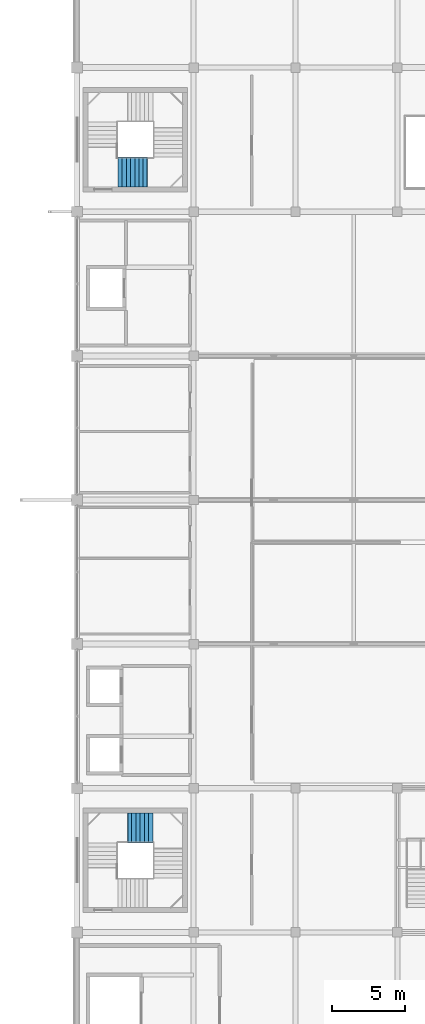
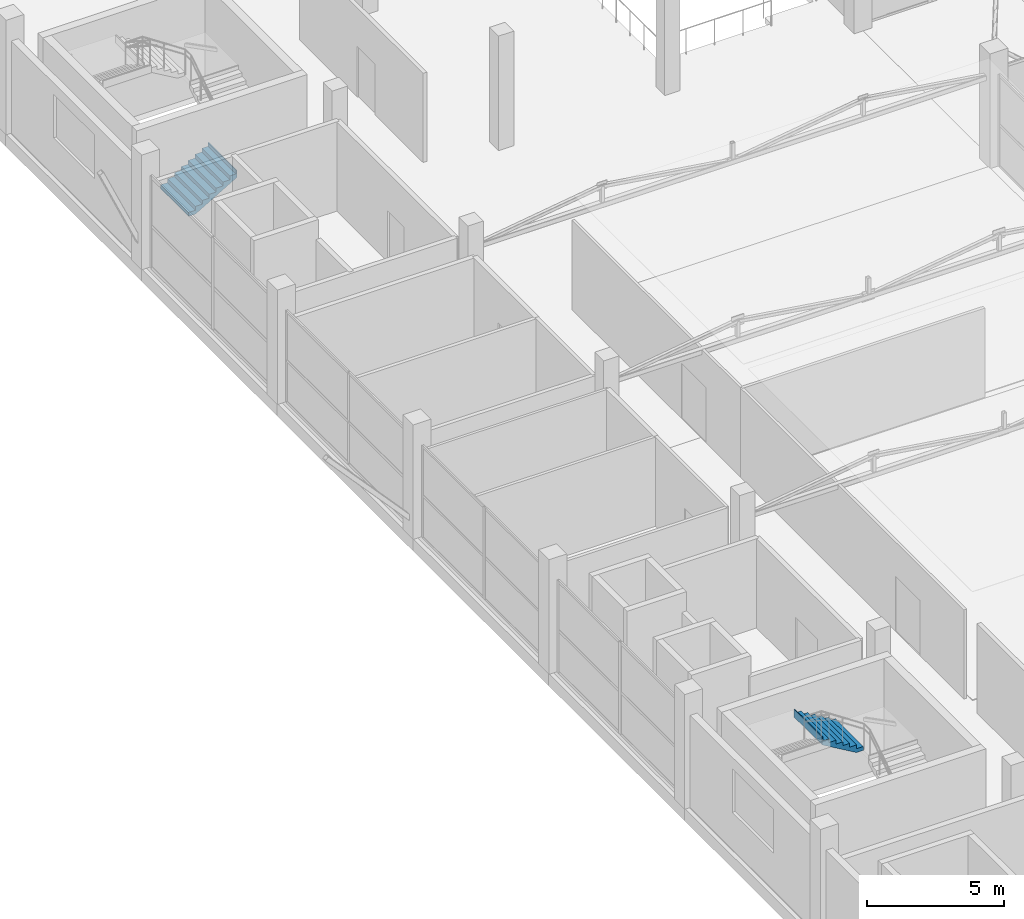
# One storey, part 61 of 67: 2 stair flights, 2 elements without a shape of their own.
"""IFC4 building model written with IfcOpenShell, lengths in metres."""

from ifc_helpers import new_model, si_unit, direction, frame, origin, place, context, subcontext, project, spatial, triangles, material, type_object, element, aggregate, save


model = new_model("IFC4")

# Units and contexts
model_context = context("Model", 3, precision=1e-05, world=origin(), true_north=direction((0.0, 1.0)))
body_context = subcontext(model_context, "Body", "Model", "MODEL_VIEW")
ifc_project = project(units=[si_unit("LENGTHUNIT", "METRE"), si_unit("AREAUNIT", "SQUARE_METRE"), si_unit("VOLUMEUNIT", "CUBIC_METRE"), si_unit("PLANEANGLEUNIT", "RADIAN"), si_unit("MASSUNIT", "GRAM", prefix="KILO")], contexts=[model_context])

# Site, building, storey
site_placement = place(None, origin())
site = spatial("IfcSite", under=ifc_project, at=site_placement, CompositionType="ELEMENT")
building_placement = place(site_placement, origin())
building = spatial("IfcBuilding", under=site, at=building_placement, Name="Sillaruma Civic Art Gallery", CompositionType="ELEMENT")
storey_placement = place(building_placement, frame((0.0, 0.0, 46.919921875)))
storey = spatial("IfcBuildingStorey", under=building, at=storey_placement, Name="L09", CompositionType="ELEMENT", Elevation=46.919921875)

# Stair, stair flight
ifc_material = material(Name="Concrete H35 (35 MPa)", Category="concrete")
stair_type = type_object("IfcStairType", Name="STR-4F-30", PredefinedType="USERDEFINED", material=ifc_material)
stair_1_placement = place(storey_placement, origin())
stair_1 = element("IfcStair", 1, at=stair_1_placement, inside=storey, type_object=stair_type, Name="Protected Exit Stair ST-03 (West Bar South) (L09)", ObjectType="THREE_RETURN_STAIR", PredefinedType="USERDEFINED")
stair_flight_type_1 = type_object("IfcStairFlightType", Name="SFL-STR-7", PredefinedType="STRAIGHT", material=ifc_material)
stair_flight_1_placement = place(storey_placement, frame((67.199951171875, 36.8701171875, 2.719970703125), z_axis=(0.0, 0.0, 1.0), x_axis=(-1.0, 0.0, 0.0)))
stair_flight_1 = element("IfcStairFlight", 2, at=stair_flight_1_placement, type_object=stair_flight_type_1, Name="ST-03 flight 3", NumberOfRisers=7, NumberOfTreads=6, PredefinedType="STRAIGHT", RiserHeight=0.17, TreadLength=0.29, context=body_context, shape_type="Tessellation", body=[
    triangles([(0.0, -1.02001953125, 0.0), (0.29, -1.02001953125, 0.0), (0.296404, -1.02001953125, 0.0), (0.58, -1.02001953125, 0.166246), (0.87, -1.02001953125, 0.336246), (1.16, -1.02001953125, 0.506246), (1.45, -1.02001953125, 0.676246), (1.69999, -1.02001953125, 0.822792), (1.73999, -1.02001953125, 0.84624), (1.73999, -1.02001953125, 1.19), (1.69999, -1.02001953125, 1.19), (1.69999, -1.02001953125, 1.02), (1.45, -1.02001953125, 1.02), (1.45, -1.02001953125, 0.85), (1.16, -1.02001953125, 0.85), (1.16, -1.02001953125, 0.68), (0.87, -1.02001953125, 0.68), (0.87, -1.02001953125, 0.51), (0.58, -1.02001953125, 0.51), (0.58, -1.02001953125, 0.34), (0.296404, -1.02001953125, 0.34), (0.29, -1.02001953125, 0.34), (0.29, -1.02001953125, 0.17), (0.0, -1.02001953125, 0.17), (0.0, -0.05, 0.0), (0.29, -0.05, 0.0), (0.296404, -0.05, 0.0), (0.58, -0.05, 0.166246), (0.87, -0.05, 0.336246), (1.16, -0.05, 0.506246), (1.45, -0.05, 0.676246), (1.69999, -0.05, 0.822792), (1.73999, -0.05, 0.84624), (1.73999, -0.05, 1.19), (1.69999, -0.05, 1.19), (1.69999, -0.05, 1.02), (1.45, -0.05, 1.02), (1.45, -0.05, 0.85), (1.16, -0.05, 0.85), (1.16, -0.05, 0.68), (0.87, -0.05, 0.68), (0.87, -0.05, 0.51), (0.58, -0.05, 0.51), (0.58, -0.05, 0.34), (0.296404, -0.05, 0.34), (0.29, -0.05, 0.34), (0.29, -0.05, 0.17), (0.0, -0.05, 0.17), (0.0, -0.0375, 0.0), (0.29, -0.0375, 0.0), (0.296404, -0.0375, 0.0), (0.58, -0.0375, 0.166246), (0.87, -0.0375, 0.336246), (1.16, -0.0375, 0.506246), (1.45, -0.0375, 0.676246), (1.69999, -0.0375, 0.822792), (1.73999, -0.0375, 0.84624), (1.73999, -0.0375, 1.19), (1.69999, -0.0375, 1.19), (1.69999, -0.0375, 1.02), (1.45, -0.0375, 1.02), (1.45, -0.0375, 0.85), (1.16, -0.0375, 0.85), (1.16, -0.0375, 0.68), (0.87, -0.0375, 0.68), (0.87, -0.0375, 0.51), (0.58, -0.0375, 0.51), (0.58, -0.0375, 0.34), (0.296404, -0.0375, 0.34), (0.29, -0.0375, 0.34), (0.29, -0.0375, 0.17), (0.0, -0.0375, 0.17), (0.0, -0.025, 0.0), (0.29, -0.025, 0.0), (0.296404, -0.025, 0.0), (0.58, -0.025, 0.166246), (0.87, -0.025, 0.336246), (1.16, -0.025, 0.506246), (1.45, -0.025, 0.676246), (1.69999, -0.025, 0.822792), (1.73999, -0.025, 0.84624), (1.73999, -0.025, 1.19), (1.69999, -0.025, 1.19), (1.69999, -0.025, 1.02), (1.45, -0.025, 1.02), (1.45, -0.025, 0.85), (1.16, -0.025, 0.85), (1.16, -0.025, 0.68), (0.87, -0.025, 0.68), (0.87, -0.025, 0.51), (0.58, -0.025, 0.51), (0.58, -0.025, 0.34), (0.296404, -0.025, 0.34), (0.29, -0.025, 0.34), (0.29, -0.025, 0.17), (0.0, -0.025, 0.17), (0.0, -0.0125, 0.0), (0.29, -0.0125, 0.0), (0.296404, -0.0125, 0.0), (0.58, -0.0125, 0.166246), (0.87, -0.0125, 0.336246), (1.16, -0.0125, 0.506246), (1.45, -0.0125, 0.676246), (1.69999, -0.0125, 0.822792), (1.73999, -0.0125, 0.84624), (1.73999, -0.0125, 1.19), (1.69999, -0.0125, 1.19), (1.69999, -0.0125, 1.02), (1.45, -0.0125, 1.02), (1.45, -0.0125, 0.85), (1.16, -0.0125, 0.85), (1.16, -0.0125, 0.68), (0.87, -0.0125, 0.68), (0.87, -0.0125, 0.51), (0.58, -0.0125, 0.51), (0.58, -0.0125, 0.34), (0.296404, -0.0125, 0.34), (0.29, -0.0125, 0.34), (0.29, -0.0125, 0.17), (0.0, -0.0125, 0.17), (0.0, 0.0, 0.0), (0.29, 0.0, 0.0), (0.296404, 0.0, 0.0), (0.58, 0.0, 0.166246), (0.87, 0.0, 0.336246), (1.16, 0.0, 0.506246), (1.45, 0.0, 0.676246), (1.69999, 0.0, 0.822792), (1.73999, 0.0, 0.84624), (1.73999, 0.0, 1.19), (1.69999, 0.0, 1.19), (1.69999, 0.0, 1.02), (1.45, 0.0, 1.02), (1.45, 0.0, 0.85), (1.16, 0.0, 0.85), (1.16, 0.0, 0.68), (0.87, 0.0, 0.68), (0.87, 0.0, 0.51), (0.58, 0.0, 0.51), (0.58, 0.0, 0.34), (0.296404, 0.0, 0.34), (0.29, 0.0, 0.34), (0.29, 0.0, 0.17), (0.0, 0.0, 0.17), (0.0, 0.0125, 0.0), (0.29, 0.0125, 0.0), (0.296404, 0.0125, 0.0), (0.58, 0.0125, 0.166246), (0.87, 0.0125, 0.336246), (1.16, 0.0125, 0.506246), (1.45, 0.0125, 0.676246), (1.69999, 0.0125, 0.822792), (1.73999, 0.0125, 0.84624), (1.73999, 0.0125, 1.19), (1.69999, 0.0125, 1.19), (1.69999, 0.0125, 1.02), (1.45, 0.0125, 1.02), (1.45, 0.0125, 0.85), (1.16, 0.0125, 0.85), (1.16, 0.0125, 0.68), (0.87, 0.0125, 0.68), (0.87, 0.0125, 0.51), (0.58, 0.0125, 0.51), (0.58, 0.0125, 0.34), (0.296404, 0.0125, 0.34), (0.29, 0.0125, 0.34), (0.29, 0.0125, 0.17), (0.0, 0.0125, 0.17), (0.0, 0.025, 0.0), (0.29, 0.025, 0.0), (0.296404, 0.025, 0.0), (0.58, 0.025, 0.166246), (0.87, 0.025, 0.336246), (1.16, 0.025, 0.506246), (1.45, 0.025, 0.676246), (1.69999, 0.025, 0.822792), (1.73999, 0.025, 0.84624), (1.73999, 0.025, 1.19), (1.69999, 0.025, 1.19), (1.69999, 0.025, 1.02), (1.45, 0.025, 1.02), (1.45, 0.025, 0.85), (1.16, 0.025, 0.85), (1.16, 0.025, 0.68), (0.87, 0.025, 0.68), (0.87, 0.025, 0.51), (0.58, 0.025, 0.51), (0.58, 0.025, 0.34), (0.296404, 0.025, 0.34), (0.29, 0.025, 0.34), (0.29, 0.025, 0.17), (0.0, 0.025, 0.17), (0.0, 0.0375, 0.0), (0.29, 0.0375, 0.0), (0.296404, 0.0375, 0.0), (0.58, 0.0375, 0.166246), (0.87, 0.0375, 0.336246), (1.16, 0.0375, 0.506246), (1.45, 0.0375, 0.676246), (1.69999, 0.0375, 0.822792), (1.73999, 0.0375, 0.84624), (1.73999, 0.0375, 1.19), (1.69999, 0.0375, 1.19), (1.69999, 0.0375, 1.02), (1.45, 0.0375, 1.02), (1.45, 0.0375, 0.85), (1.16, 0.0375, 0.85), (1.16, 0.0375, 0.68), (0.87, 0.0375, 0.68), (0.87, 0.0375, 0.51), (0.58, 0.0375, 0.51), (0.58, 0.0375, 0.34), (0.296404, 0.0375, 0.34), (0.29, 0.0375, 0.34), (0.29, 0.0375, 0.17), (0.0, 0.0375, 0.17), (0.0, 0.05, 0.0), (0.29, 0.05, 0.0), (0.296404, 0.05, 0.0), (0.58, 0.05, 0.166246), (0.87, 0.05, 0.336246), (1.16, 0.05, 0.506246), (1.45, 0.05, 0.676246), (1.69999, 0.05, 0.822792), (1.73999, 0.05, 0.84624), (1.73999, 0.05, 1.19), (1.69999, 0.05, 1.19), (1.69999, 0.05, 1.02), (1.45, 0.05, 1.02), (1.45, 0.05, 0.85), (1.16, 0.05, 0.85), (1.16, 0.05, 0.68), (0.87, 0.05, 0.68), (0.87, 0.05, 0.51), (0.58, 0.05, 0.51), (0.58, 0.05, 0.34), (0.296404, 0.05, 0.34), (0.29, 0.05, 0.34), (0.29, 0.05, 0.17), (0.0, 0.05, 0.17), (0.0, 1.02001953125, 0.0), (0.29, 1.02001953125, 0.0), (0.296404, 1.02001953125, 0.0), (0.58, 1.02001953125, 0.166246), (0.87, 1.02001953125, 0.336246), (1.16, 1.02001953125, 0.506246), (1.45, 1.02001953125, 0.676246), (1.69999, 1.02001953125, 0.822792), (1.73999, 1.02001953125, 0.84624), (1.73999, 1.02001953125, 1.19), (1.69999, 1.02001953125, 1.19), (1.69999, 1.02001953125, 1.02), (1.45, 1.02001953125, 1.02), (1.45, 1.02001953125, 0.85), (1.16, 1.02001953125, 0.85), (1.16, 1.02001953125, 0.68), (0.87, 1.02001953125, 0.68), (0.87, 1.02001953125, 0.51), (0.58, 1.02001953125, 0.51), (0.58, 1.02001953125, 0.34), (0.296404, 1.02001953125, 0.34), (0.29, 1.02001953125, 0.34), (0.29, 1.02001953125, 0.17), (0.0, 1.02001953125, 0.17)], [[1, 2, 23], [1, 23, 24], [2, 3, 21], [2, 21, 23], [23, 21, 22], [3, 4, 20], [3, 20, 21], [4, 5, 18], [4, 18, 20], [20, 18, 19], [5, 6, 16], [5, 16, 18], [18, 16, 17], [6, 7, 14], [6, 14, 16], [16, 14, 15], [7, 8, 12], [7, 12, 14], [14, 12, 13], [8, 9, 10], [8, 10, 12], [12, 10, 11], [263, 242, 241], [264, 263, 241], [261, 243, 242], [263, 261, 242], [262, 261, 263], [260, 244, 243], [261, 260, 243], [258, 245, 244], [260, 258, 244], [259, 258, 260], [256, 246, 245], [258, 256, 245], [257, 256, 258], [254, 247, 246], [256, 254, 246], [255, 254, 256], [252, 248, 247], [254, 252, 247], [253, 252, 254], [250, 249, 248], [252, 250, 248], [251, 250, 252], [2, 1, 25], [2, 25, 26], [3, 2, 26], [3, 26, 27], [4, 3, 27], [4, 27, 28], [5, 4, 28], [5, 28, 29], [6, 5, 29], [6, 29, 30], [7, 6, 30], [7, 30, 31], [8, 7, 31], [8, 31, 32], [9, 8, 32], [9, 32, 33], [10, 9, 33], [10, 33, 34], [11, 10, 34], [11, 34, 35], [12, 11, 35], [12, 35, 36], [13, 12, 36], [13, 36, 37], [14, 13, 37], [14, 37, 38], [15, 14, 38], [15, 38, 39], [16, 15, 39], [16, 39, 40], [17, 16, 40], [17, 40, 41], [18, 17, 41], [18, 41, 42], [19, 18, 42], [19, 42, 43], [20, 19, 43], [20, 43, 44], [21, 20, 44], [21, 44, 45], [22, 21, 45], [22, 45, 46], [23, 22, 46], [23, 46, 47], [24, 23, 47], [24, 47, 48], [1, 24, 48], [1, 48, 25], [26, 25, 49], [26, 49, 50], [27, 26, 50], [27, 50, 51], [28, 27, 51], [28, 51, 52], [29, 28, 52], [29, 52, 53], [30, 29, 53], [30, 53, 54], [31, 30, 54], [31, 54, 55], [32, 31, 55], [32, 55, 56], [33, 32, 56], [33, 56, 57], [34, 33, 57], [34, 57, 58], [35, 34, 58], [35, 58, 59], [36, 35, 59], [36, 59, 60], [37, 36, 60], [37, 60, 61], [38, 37, 61], [38, 61, 62], [39, 38, 62], [39, 62, 63], [40, 39, 63], [40, 63, 64], [41, 40, 64], [41, 64, 65], [42, 41, 65], [42, 65, 66], [43, 42, 66], [43, 66, 67], [44, 43, 67], [44, 67, 68], [45, 44, 68], [45, 68, 69], [46, 45, 69], [46, 69, 70], [47, 46, 70], [47, 70, 71], [48, 47, 71], [48, 71, 72], [25, 48, 72], [25, 72, 49], [50, 49, 73], [50, 73, 74], [51, 50, 74], [51, 74, 75], [52, 51, 75], [52, 75, 76], [53, 52, 76], [53, 76, 77], [54, 53, 77], [54, 77, 78], [55, 54, 78], [55, 78, 79], [56, 55, 79], [56, 79, 80], [57, 56, 80], [57, 80, 81], [58, 57, 81], [58, 81, 82], [59, 58, 82], [59, 82, 83], [60, 59, 83], [60, 83, 84], [61, 60, 84], [61, 84, 85], [62, 61, 85], [62, 85, 86], [63, 62, 86], [63, 86, 87], [64, 63, 87], [64, 87, 88], [65, 64, 88], [65, 88, 89], [66, 65, 89], [66, 89, 90], [67, 66, 90], [67, 90, 91], [68, 67, 91], [68, 91, 92], [69, 68, 92], [69, 92, 93], [70, 69, 93], [70, 93, 94], [71, 70, 94], [71, 94, 95], [72, 71, 95], [72, 95, 96], [49, 72, 96], [49, 96, 73], [74, 73, 97], [74, 97, 98], [75, 74, 98], [75, 98, 99], [76, 75, 99], [76, 99, 100], [77, 76, 100], [77, 100, 101], [78, 77, 101], [78, 101, 102], [79, 78, 102], [79, 102, 103], [80, 79, 103], [80, 103, 104], [81, 80, 104], [81, 104, 105], [82, 81, 105], [82, 105, 106], [83, 82, 106], [83, 106, 107], [84, 83, 107], [84, 107, 108], [85, 84, 108], [85, 108, 109], [86, 85, 109], [86, 109, 110], [87, 86, 110], [87, 110, 111], [88, 87, 111], [88, 111, 112], [89, 88, 112], [89, 112, 113], [90, 89, 113], [90, 113, 114], [91, 90, 114], [91, 114, 115], [92, 91, 115], [92, 115, 116], [93, 92, 116], [93, 116, 117], [94, 93, 117], [94, 117, 118], [95, 94, 118], [95, 118, 119], [96, 95, 119], [96, 119, 120], [73, 96, 120], [73, 120, 97], [98, 97, 121], [98, 121, 122], [99, 98, 122], [99, 122, 123], [100, 99, 123], [100, 123, 124], [101, 100, 124], [101, 124, 125], [102, 101, 125], [102, 125, 126], [103, 102, 126], [103, 126, 127], [104, 103, 127], [104, 127, 128], [105, 104, 128], [105, 128, 129], [106, 105, 129], [106, 129, 130], [107, 106, 130], [107, 130, 131], [108, 107, 131], [108, 131, 132], [109, 108, 132], [109, 132, 133], [110, 109, 133], [110, 133, 134], [111, 110, 134], [111, 134, 135], [112, 111, 135], [112, 135, 136], [113, 112, 136], [113, 136, 137], [114, 113, 137], [114, 137, 138], [115, 114, 138], [115, 138, 139], [116, 115, 139], [116, 139, 140], [117, 116, 140], [117, 140, 141], [118, 117, 141], [118, 141, 142], [119, 118, 142], [119, 142, 143], [120, 119, 143], [120, 143, 144], [97, 120, 144], [97, 144, 121], [122, 121, 145], [122, 145, 146], [123, 122, 146], [123, 146, 147], [124, 123, 147], [124, 147, 148], [125, 124, 148], [125, 148, 149], [126, 125, 149], [126, 149, 150], [127, 126, 150], [127, 150, 151], [128, 127, 151], [128, 151, 152], [129, 128, 152], [129, 152, 153], [130, 129, 153], [130, 153, 154], [131, 130, 154], [131, 154, 155], [132, 131, 155], [132, 155, 156], [133, 132, 156], [133, 156, 157], [134, 133, 157], [134, 157, 158], [135, 134, 158], [135, 158, 159], [136, 135, 159], [136, 159, 160], [137, 136, 160], [137, 160, 161], [138, 137, 161], [138, 161, 162], [139, 138, 162], [139, 162, 163], [140, 139, 163], [140, 163, 164], [141, 140, 164], [141, 164, 165], [142, 141, 165], [142, 165, 166], [143, 142, 166], [143, 166, 167], [144, 143, 167], [144, 167, 168], [121, 144, 168], [121, 168, 145], [146, 145, 169], [146, 169, 170], [147, 146, 170], [147, 170, 171], [148, 147, 171], [148, 171, 172], [149, 148, 172], [149, 172, 173], [150, 149, 173], [150, 173, 174], [151, 150, 174], [151, 174, 175], [152, 151, 175], [152, 175, 176], [153, 152, 176], [153, 176, 177], [154, 153, 177], [154, 177, 178], [155, 154, 178], [155, 178, 179], [156, 155, 179], [156, 179, 180], [157, 156, 180], [157, 180, 181], [158, 157, 181], [158, 181, 182], [159, 158, 182], [159, 182, 183], [160, 159, 183], [160, 183, 184], [161, 160, 184], [161, 184, 185], [162, 161, 185], [162, 185, 186], [163, 162, 186], [163, 186, 187], [164, 163, 187], [164, 187, 188], [165, 164, 188], [165, 188, 189], [166, 165, 189], [166, 189, 190], [167, 166, 190], [167, 190, 191], [168, 167, 191], [168, 191, 192], [145, 168, 192], [145, 192, 169], [170, 169, 193], [170, 193, 194], [171, 170, 194], [171, 194, 195], [172, 171, 195], [172, 195, 196], [173, 172, 196], [173, 196, 197], [174, 173, 197], [174, 197, 198], [175, 174, 198], [175, 198, 199], [176, 175, 199], [176, 199, 200], [177, 176, 200], [177, 200, 201], [178, 177, 201], [178, 201, 202], [179, 178, 202], [179, 202, 203], [180, 179, 203], [180, 203, 204], [181, 180, 204], [181, 204, 205], [182, 181, 205], [182, 205, 206], [183, 182, 206], [183, 206, 207], [184, 183, 207], [184, 207, 208], [185, 184, 208], [185, 208, 209], [186, 185, 209], [186, 209, 210], [187, 186, 210], [187, 210, 211], [188, 187, 211], [188, 211, 212], [189, 188, 212], [189, 212, 213], [190, 189, 213], [190, 213, 214], [191, 190, 214], [191, 214, 215], [192, 191, 215], [192, 215, 216], [169, 192, 216], [169, 216, 193], [194, 193, 217], [194, 217, 218], [195, 194, 218], [195, 218, 219], [196, 195, 219], [196, 219, 220], [197, 196, 220], [197, 220, 221], [198, 197, 221], [198, 221, 222], [199, 198, 222], [199, 222, 223], [200, 199, 223], [200, 223, 224], [201, 200, 224], [201, 224, 225], [202, 201, 225], [202, 225, 226], [203, 202, 226], [203, 226, 227], [204, 203, 227], [204, 227, 228], [205, 204, 228], [205, 228, 229], [206, 205, 229], [206, 229, 230], [207, 206, 230], [207, 230, 231], [208, 207, 231], [208, 231, 232], [209, 208, 232], [209, 232, 233], [210, 209, 233], [210, 233, 234], [211, 210, 234], [211, 234, 235], [212, 211, 235], [212, 235, 236], [213, 212, 236], [213, 236, 237], [214, 213, 237], [214, 237, 238], [215, 214, 238], [215, 238, 239], [216, 215, 239], [216, 239, 240], [193, 216, 240], [193, 240, 217], [218, 217, 241], [218, 241, 242], [219, 218, 242], [219, 242, 243], [220, 219, 243], [220, 243, 244], [221, 220, 244], [221, 244, 245], [222, 221, 245], [222, 245, 246], [223, 222, 246], [223, 246, 247], [224, 223, 247], [224, 247, 248], [225, 224, 248], [225, 248, 249], [226, 225, 249], [226, 249, 250], [227, 226, 250], [227, 250, 251], [228, 227, 251], [228, 251, 252], [229, 228, 252], [229, 252, 253], [230, 229, 253], [230, 253, 254], [231, 230, 254], [231, 254, 255], [232, 231, 255], [232, 255, 256], [233, 232, 256], [233, 256, 257], [234, 233, 257], [234, 257, 258], [235, 234, 258], [235, 258, 259], [236, 235, 259], [236, 259, 260], [237, 236, 260], [237, 260, 261], [238, 237, 261], [238, 261, 262], [239, 238, 262], [239, 262, 263], [240, 239, 263], [240, 263, 264], [217, 240, 264], [217, 264, 241]], closed=True),
])
aggregate(stair_1, [stair_flight_1])

stair_2_placement = place(storey_placement, origin())
stair_2 = element("IfcStair", 3, at=stair_2_placement, inside=storey, type_object=stair_type, Name="Protected Exit Stair ST-02 (West Bar North) (L09)", ObjectType="THREE_RETURN_STAIR", PredefinedType="USERDEFINED")
stair_flight_type_2 = type_object("IfcStairFlightType", Name="SFL-STR-8", PredefinedType="STRAIGHT", material=ifc_material)
stair_flight_2_placement = place(storey_placement, frame((64.800048828125, 81.929931640625, 0.0), z_axis=(0.0, 0.0, 1.0), x_axis=(1.0, 0.0, 0.0)))
stair_flight_2 = element("IfcStairFlight", 4, at=stair_flight_2_placement, type_object=stair_flight_type_2, Name="ST-02 flight 1", NumberOfRisers=8, NumberOfTreads=7, PredefinedType="STRAIGHT", RiserHeight=0.17, TreadLength=0.29, context=body_context, shape_type="Tessellation", body=[
    triangles([(0.0, -1.02001953125, 0.0), (0.29, -1.02001953125, 0.0), (0.296443, -1.02001953125, 0.0), (0.58, -1.02001953125, 0.166223), (0.87, -1.02001953125, 0.336223), (1.16, -1.02001953125, 0.506223), (1.45, -1.02001953125, 0.676223), (1.74, -1.02001953125, 0.846223), (1.990029, -1.02001953125, 0.992792), (2.030029, -1.02001953125, 1.01624), (2.030029, -1.02001953125, 1.36), (1.990029, -1.02001953125, 1.36), (1.990029, -1.02001953125, 1.19), (1.74, -1.02001953125, 1.19), (1.74, -1.02001953125, 1.02), (1.45, -1.02001953125, 1.02), (1.45, -1.02001953125, 0.85), (1.16, -1.02001953125, 0.85), (1.16, -1.02001953125, 0.68), (0.87, -1.02001953125, 0.68), (0.87, -1.02001953125, 0.51), (0.58, -1.02001953125, 0.51), (0.58, -1.02001953125, 0.34), (0.296443, -1.02001953125, 0.34), (0.29, -1.02001953125, 0.34), (0.29, -1.02001953125, 0.17), (0.0, -1.02001953125, 0.17), (0.0, -0.05, 0.0), (0.29, -0.05, 0.0), (0.296443, -0.05, 0.0), (0.58, -0.05, 0.166223), (0.87, -0.05, 0.336223), (1.16, -0.05, 0.506223), (1.45, -0.05, 0.676223), (1.74, -0.05, 0.846223), (1.990029, -0.05, 0.992792), (2.030029, -0.05, 1.01624), (2.030029, -0.05, 1.36), (1.990029, -0.05, 1.36), (1.990029, -0.05, 1.19), (1.74, -0.05, 1.19), (1.74, -0.05, 1.02), (1.45, -0.05, 1.02), (1.45, -0.05, 0.85), (1.16, -0.05, 0.85), (1.16, -0.05, 0.68), (0.87, -0.05, 0.68), (0.87, -0.05, 0.51), (0.58, -0.05, 0.51), (0.58, -0.05, 0.34), (0.296443, -0.05, 0.34), (0.29, -0.05, 0.34), (0.29, -0.05, 0.17), (0.0, -0.05, 0.17), (0.0, -0.0375, 0.0), (0.29, -0.0375, 0.0), (0.296443, -0.0375, 0.0), (0.58, -0.0375, 0.166223), (0.87, -0.0375, 0.336223), (1.16, -0.0375, 0.506223), (1.45, -0.0375, 0.676223), (1.74, -0.0375, 0.846223), (1.990029, -0.0375, 0.992792), (2.030029, -0.0375, 1.01624), (2.030029, -0.0375, 1.36), (1.990029, -0.0375, 1.36), (1.990029, -0.0375, 1.19), (1.74, -0.0375, 1.19), (1.74, -0.0375, 1.02), (1.45, -0.0375, 1.02), (1.45, -0.0375, 0.85), (1.16, -0.0375, 0.85), (1.16, -0.0375, 0.68), (0.87, -0.0375, 0.68), (0.87, -0.0375, 0.51), (0.58, -0.0375, 0.51), (0.58, -0.0375, 0.34), (0.296443, -0.0375, 0.34), (0.29, -0.0375, 0.34), (0.29, -0.0375, 0.17), (0.0, -0.0375, 0.17), (0.0, -0.025, 0.0), (0.29, -0.025, 0.0), (0.296443, -0.025, 0.0), (0.58, -0.025, 0.166223), (0.87, -0.025, 0.336223), (1.16, -0.025, 0.506223), (1.45, -0.025, 0.676223), (1.74, -0.025, 0.846223), (1.990029, -0.025, 0.992792), (2.030029, -0.025, 1.01624), (2.030029, -0.025, 1.36), (1.990029, -0.025, 1.36), (1.990029, -0.025, 1.19), (1.74, -0.025, 1.19), (1.74, -0.025, 1.02), (1.45, -0.025, 1.02), (1.45, -0.025, 0.85), (1.16, -0.025, 0.85), (1.16, -0.025, 0.68), (0.87, -0.025, 0.68), (0.87, -0.025, 0.51), (0.58, -0.025, 0.51), (0.58, -0.025, 0.34), (0.296443, -0.025, 0.34), (0.29, -0.025, 0.34), (0.29, -0.025, 0.17), (0.0, -0.025, 0.17), (0.0, -0.0125, 0.0), (0.29, -0.0125, 0.0), (0.296443, -0.0125, 0.0), (0.58, -0.0125, 0.166223), (0.87, -0.0125, 0.336223), (1.16, -0.0125, 0.506223), (1.45, -0.0125, 0.676223), (1.74, -0.0125, 0.846223), (1.990029, -0.0125, 0.992792), (2.030029, -0.0125, 1.01624), (2.030029, -0.0125, 1.36), (1.990029, -0.0125, 1.36), (1.990029, -0.0125, 1.19), (1.74, -0.0125, 1.19), (1.74, -0.0125, 1.02), (1.45, -0.0125, 1.02), (1.45, -0.0125, 0.85), (1.16, -0.0125, 0.85), (1.16, -0.0125, 0.68), (0.87, -0.0125, 0.68), (0.87, -0.0125, 0.51), (0.58, -0.0125, 0.51), (0.58, -0.0125, 0.34), (0.296443, -0.0125, 0.34), (0.29, -0.0125, 0.34), (0.29, -0.0125, 0.17), (0.0, -0.0125, 0.17), (0.0, 0.0, 0.0), (0.29, 0.0, 0.0), (0.296443, 0.0, 0.0), (0.58, 0.0, 0.166223), (0.87, 0.0, 0.336223), (1.16, 0.0, 0.506223), (1.45, 0.0, 0.676223), (1.74, 0.0, 0.846223), (1.990029, 0.0, 0.992792), (2.030029, 0.0, 1.01624), (2.030029, 0.0, 1.36), (1.990029, 0.0, 1.36), (1.990029, 0.0, 1.19), (1.74, 0.0, 1.19), (1.74, 0.0, 1.02), (1.45, 0.0, 1.02), (1.45, 0.0, 0.85), (1.16, 0.0, 0.85), (1.16, 0.0, 0.68), (0.87, 0.0, 0.68), (0.87, 0.0, 0.51), (0.58, 0.0, 0.51), (0.58, 0.0, 0.34), (0.296443, 0.0, 0.34), (0.29, 0.0, 0.34), (0.29, 0.0, 0.17), (0.0, 0.0, 0.17), (0.0, 0.0125, 0.0), (0.29, 0.0125, 0.0), (0.296443, 0.0125, 0.0), (0.58, 0.0125, 0.166223), (0.87, 0.0125, 0.336223), (1.16, 0.0125, 0.506223), (1.45, 0.0125, 0.676223), (1.74, 0.0125, 0.846223), (1.990029, 0.0125, 0.992792), (2.030029, 0.0125, 1.01624), (2.030029, 0.0125, 1.36), (1.990029, 0.0125, 1.36), (1.990029, 0.0125, 1.19), (1.74, 0.0125, 1.19), (1.74, 0.0125, 1.02), (1.45, 0.0125, 1.02), (1.45, 0.0125, 0.85), (1.16, 0.0125, 0.85), (1.16, 0.0125, 0.68), (0.87, 0.0125, 0.68), (0.87, 0.0125, 0.51), (0.58, 0.0125, 0.51), (0.58, 0.0125, 0.34), (0.296443, 0.0125, 0.34), (0.29, 0.0125, 0.34), (0.29, 0.0125, 0.17), (0.0, 0.0125, 0.17), (0.0, 0.025, 0.0), (0.29, 0.025, 0.0), (0.296443, 0.025, 0.0), (0.58, 0.025, 0.166223), (0.87, 0.025, 0.336223), (1.16, 0.025, 0.506223), (1.45, 0.025, 0.676223), (1.74, 0.025, 0.846223), (1.990029, 0.025, 0.992792), (2.030029, 0.025, 1.01624), (2.030029, 0.025, 1.36), (1.990029, 0.025, 1.36), (1.990029, 0.025, 1.19), (1.74, 0.025, 1.19), (1.74, 0.025, 1.02), (1.45, 0.025, 1.02), (1.45, 0.025, 0.85), (1.16, 0.025, 0.85), (1.16, 0.025, 0.68), (0.87, 0.025, 0.68), (0.87, 0.025, 0.51), (0.58, 0.025, 0.51), (0.58, 0.025, 0.34), (0.296443, 0.025, 0.34), (0.29, 0.025, 0.34), (0.29, 0.025, 0.17), (0.0, 0.025, 0.17), (0.0, 0.0375, 0.0), (0.29, 0.0375, 0.0), (0.296443, 0.0375, 0.0), (0.58, 0.0375, 0.166223), (0.87, 0.0375, 0.336223), (1.16, 0.0375, 0.506223), (1.45, 0.0375, 0.676223), (1.74, 0.0375, 0.846223), (1.990029, 0.0375, 0.992792), (2.030029, 0.0375, 1.01624), (2.030029, 0.0375, 1.36), (1.990029, 0.0375, 1.36), (1.990029, 0.0375, 1.19), (1.74, 0.0375, 1.19), (1.74, 0.0375, 1.02), (1.45, 0.0375, 1.02), (1.45, 0.0375, 0.85), (1.16, 0.0375, 0.85), (1.16, 0.0375, 0.68), (0.87, 0.0375, 0.68), (0.87, 0.0375, 0.51), (0.58, 0.0375, 0.51), (0.58, 0.0375, 0.34), (0.296443, 0.0375, 0.34), (0.29, 0.0375, 0.34), (0.29, 0.0375, 0.17), (0.0, 0.0375, 0.17), (0.0, 0.05, 0.0), (0.29, 0.05, 0.0), (0.296443, 0.05, 0.0), (0.58, 0.05, 0.166223), (0.87, 0.05, 0.336223), (1.16, 0.05, 0.506223), (1.45, 0.05, 0.676223), (1.74, 0.05, 0.846223), (1.990029, 0.05, 0.992792), (2.030029, 0.05, 1.01624), (2.030029, 0.05, 1.36), (1.990029, 0.05, 1.36), (1.990029, 0.05, 1.19), (1.74, 0.05, 1.19), (1.74, 0.05, 1.02), (1.45, 0.05, 1.02), (1.45, 0.05, 0.85), (1.16, 0.05, 0.85), (1.16, 0.05, 0.68), (0.87, 0.05, 0.68), (0.87, 0.05, 0.51), (0.58, 0.05, 0.51), (0.58, 0.05, 0.34), (0.296443, 0.05, 0.34), (0.29, 0.05, 0.34), (0.29, 0.05, 0.17), (0.0, 0.05, 0.17), (0.0, 1.02001953125, 0.0), (0.29, 1.02001953125, 0.0), (0.296443, 1.02001953125, 0.0), (0.58, 1.02001953125, 0.166223), (0.87, 1.02001953125, 0.336223), (1.16, 1.02001953125, 0.506223), (1.45, 1.02001953125, 0.676223), (1.74, 1.02001953125, 0.846223), (1.990029, 1.02001953125, 0.992792), (2.030029, 1.02001953125, 1.01624), (2.030029, 1.02001953125, 1.36), (1.990029, 1.02001953125, 1.36), (1.990029, 1.02001953125, 1.19), (1.74, 1.02001953125, 1.19), (1.74, 1.02001953125, 1.02), (1.45, 1.02001953125, 1.02), (1.45, 1.02001953125, 0.85), (1.16, 1.02001953125, 0.85), (1.16, 1.02001953125, 0.68), (0.87, 1.02001953125, 0.68), (0.87, 1.02001953125, 0.51), (0.58, 1.02001953125, 0.51), (0.58, 1.02001953125, 0.34), (0.296443, 1.02001953125, 0.34), (0.29, 1.02001953125, 0.34), (0.29, 1.02001953125, 0.17), (0.0, 1.02001953125, 0.17)], [[1, 2, 26], [1, 26, 27], [2, 3, 24], [2, 24, 26], [26, 24, 25], [3, 4, 23], [3, 23, 24], [4, 5, 21], [4, 21, 23], [23, 21, 22], [5, 6, 19], [5, 19, 21], [21, 19, 20], [6, 7, 17], [6, 17, 19], [19, 17, 18], [7, 8, 15], [7, 15, 17], [17, 15, 16], [8, 9, 13], [8, 13, 15], [15, 13, 14], [9, 10, 11], [9, 11, 13], [13, 11, 12], [296, 272, 271], [297, 296, 271], [294, 273, 272], [296, 294, 272], [295, 294, 296], [293, 274, 273], [294, 293, 273], [291, 275, 274], [293, 291, 274], [292, 291, 293], [289, 276, 275], [291, 289, 275], [290, 289, 291], [287, 277, 276], [289, 287, 276], [288, 287, 289], [285, 278, 277], [287, 285, 277], [286, 285, 287], [283, 279, 278], [285, 283, 278], [284, 283, 285], [281, 280, 279], [283, 281, 279], [282, 281, 283], [2, 1, 28], [2, 28, 29], [3, 2, 29], [3, 29, 30], [4, 3, 30], [4, 30, 31], [5, 4, 31], [5, 31, 32], [6, 5, 32], [6, 32, 33], [7, 6, 33], [7, 33, 34], [8, 7, 34], [8, 34, 35], [9, 8, 35], [9, 35, 36], [10, 9, 36], [10, 36, 37], [11, 10, 37], [11, 37, 38], [12, 11, 38], [12, 38, 39], [13, 12, 39], [13, 39, 40], [14, 13, 40], [14, 40, 41], [15, 14, 41], [15, 41, 42], [16, 15, 42], [16, 42, 43], [17, 16, 43], [17, 43, 44], [18, 17, 44], [18, 44, 45], [19, 18, 45], [19, 45, 46], [20, 19, 46], [20, 46, 47], [21, 20, 47], [21, 47, 48], [22, 21, 48], [22, 48, 49], [23, 22, 49], [23, 49, 50], [24, 23, 50], [24, 50, 51], [25, 24, 51], [25, 51, 52], [26, 25, 52], [26, 52, 53], [27, 26, 53], [27, 53, 54], [1, 27, 54], [1, 54, 28], [29, 28, 55], [29, 55, 56], [30, 29, 56], [30, 56, 57], [31, 30, 57], [31, 57, 58], [32, 31, 58], [32, 58, 59], [33, 32, 59], [33, 59, 60], [34, 33, 60], [34, 60, 61], [35, 34, 61], [35, 61, 62], [36, 35, 62], [36, 62, 63], [37, 36, 63], [37, 63, 64], [38, 37, 64], [38, 64, 65], [39, 38, 65], [39, 65, 66], [40, 39, 66], [40, 66, 67], [41, 40, 67], [41, 67, 68], [42, 41, 68], [42, 68, 69], [43, 42, 69], [43, 69, 70], [44, 43, 70], [44, 70, 71], [45, 44, 71], [45, 71, 72], [46, 45, 72], [46, 72, 73], [47, 46, 73], [47, 73, 74], [48, 47, 74], [48, 74, 75], [49, 48, 75], [49, 75, 76], [50, 49, 76], [50, 76, 77], [51, 50, 77], [51, 77, 78], [52, 51, 78], [52, 78, 79], [53, 52, 79], [53, 79, 80], [54, 53, 80], [54, 80, 81], [28, 54, 81], [28, 81, 55], [56, 55, 82], [56, 82, 83], [57, 56, 83], [57, 83, 84], [58, 57, 84], [58, 84, 85], [59, 58, 85], [59, 85, 86], [60, 59, 86], [60, 86, 87], [61, 60, 87], [61, 87, 88], [62, 61, 88], [62, 88, 89], [63, 62, 89], [63, 89, 90], [64, 63, 90], [64, 90, 91], [65, 64, 91], [65, 91, 92], [66, 65, 92], [66, 92, 93], [67, 66, 93], [67, 93, 94], [68, 67, 94], [68, 94, 95], [69, 68, 95], [69, 95, 96], [70, 69, 96], [70, 96, 97], [71, 70, 97], [71, 97, 98], [72, 71, 98], [72, 98, 99], [73, 72, 99], [73, 99, 100], [74, 73, 100], [74, 100, 101], [75, 74, 101], [75, 101, 102], [76, 75, 102], [76, 102, 103], [77, 76, 103], [77, 103, 104], [78, 77, 104], [78, 104, 105], [79, 78, 105], [79, 105, 106], [80, 79, 106], [80, 106, 107], [81, 80, 107], [81, 107, 108], [55, 81, 108], [55, 108, 82], [83, 82, 109], [83, 109, 110], [84, 83, 110], [84, 110, 111], [85, 84, 111], [85, 111, 112], [86, 85, 112], [86, 112, 113], [87, 86, 113], [87, 113, 114], [88, 87, 114], [88, 114, 115], [89, 88, 115], [89, 115, 116], [90, 89, 116], [90, 116, 117], [91, 90, 117], [91, 117, 118], [92, 91, 118], [92, 118, 119], [93, 92, 119], [93, 119, 120], [94, 93, 120], [94, 120, 121], [95, 94, 121], [95, 121, 122], [96, 95, 122], [96, 122, 123], [97, 96, 123], [97, 123, 124], [98, 97, 124], [98, 124, 125], [99, 98, 125], [99, 125, 126], [100, 99, 126], [100, 126, 127], [101, 100, 127], [101, 127, 128], [102, 101, 128], [102, 128, 129], [103, 102, 129], [103, 129, 130], [104, 103, 130], [104, 130, 131], [105, 104, 131], [105, 131, 132], [106, 105, 132], [106, 132, 133], [107, 106, 133], [107, 133, 134], [108, 107, 134], [108, 134, 135], [82, 108, 135], [82, 135, 109], [110, 109, 136], [110, 136, 137], [111, 110, 137], [111, 137, 138], [112, 111, 138], [112, 138, 139], [113, 112, 139], [113, 139, 140], [114, 113, 140], [114, 140, 141], [115, 114, 141], [115, 141, 142], [116, 115, 142], [116, 142, 143], [117, 116, 143], [117, 143, 144], [118, 117, 144], [118, 144, 145], [119, 118, 145], [119, 145, 146], [120, 119, 146], [120, 146, 147], [121, 120, 147], [121, 147, 148], [122, 121, 148], [122, 148, 149], [123, 122, 149], [123, 149, 150], [124, 123, 150], [124, 150, 151], [125, 124, 151], [125, 151, 152], [126, 125, 152], [126, 152, 153], [127, 126, 153], [127, 153, 154], [128, 127, 154], [128, 154, 155], [129, 128, 155], [129, 155, 156], [130, 129, 156], [130, 156, 157], [131, 130, 157], [131, 157, 158], [132, 131, 158], [132, 158, 159], [133, 132, 159], [133, 159, 160], [134, 133, 160], [134, 160, 161], [135, 134, 161], [135, 161, 162], [109, 135, 162], [109, 162, 136], [137, 136, 163], [137, 163, 164], [138, 137, 164], [138, 164, 165], [139, 138, 165], [139, 165, 166], [140, 139, 166], [140, 166, 167], [141, 140, 167], [141, 167, 168], [142, 141, 168], [142, 168, 169], [143, 142, 169], [143, 169, 170], [144, 143, 170], [144, 170, 171], [145, 144, 171], [145, 171, 172], [146, 145, 172], [146, 172, 173], [147, 146, 173], [147, 173, 174], [148, 147, 174], [148, 174, 175], [149, 148, 175], [149, 175, 176], [150, 149, 176], [150, 176, 177], [151, 150, 177], [151, 177, 178], [152, 151, 178], [152, 178, 179], [153, 152, 179], [153, 179, 180], [154, 153, 180], [154, 180, 181], [155, 154, 181], [155, 181, 182], [156, 155, 182], [156, 182, 183], [157, 156, 183], [157, 183, 184], [158, 157, 184], [158, 184, 185], [159, 158, 185], [159, 185, 186], [160, 159, 186], [160, 186, 187], [161, 160, 187], [161, 187, 188], [162, 161, 188], [162, 188, 189], [136, 162, 189], [136, 189, 163], [164, 163, 190], [164, 190, 191], [165, 164, 191], [165, 191, 192], [166, 165, 192], [166, 192, 193], [167, 166, 193], [167, 193, 194], [168, 167, 194], [168, 194, 195], [169, 168, 195], [169, 195, 196], [170, 169, 196], [170, 196, 197], [171, 170, 197], [171, 197, 198], [172, 171, 198], [172, 198, 199], [173, 172, 199], [173, 199, 200], [174, 173, 200], [174, 200, 201], [175, 174, 201], [175, 201, 202], [176, 175, 202], [176, 202, 203], [177, 176, 203], [177, 203, 204], [178, 177, 204], [178, 204, 205], [179, 178, 205], [179, 205, 206], [180, 179, 206], [180, 206, 207], [181, 180, 207], [181, 207, 208], [182, 181, 208], [182, 208, 209], [183, 182, 209], [183, 209, 210], [184, 183, 210], [184, 210, 211], [185, 184, 211], [185, 211, 212], [186, 185, 212], [186, 212, 213], [187, 186, 213], [187, 213, 214], [188, 187, 214], [188, 214, 215], [189, 188, 215], [189, 215, 216], [163, 189, 216], [163, 216, 190], [191, 190, 217], [191, 217, 218], [192, 191, 218], [192, 218, 219], [193, 192, 219], [193, 219, 220], [194, 193, 220], [194, 220, 221], [195, 194, 221], [195, 221, 222], [196, 195, 222], [196, 222, 223], [197, 196, 223], [197, 223, 224], [198, 197, 224], [198, 224, 225], [199, 198, 225], [199, 225, 226], [200, 199, 226], [200, 226, 227], [201, 200, 227], [201, 227, 228], [202, 201, 228], [202, 228, 229], [203, 202, 229], [203, 229, 230], [204, 203, 230], [204, 230, 231], [205, 204, 231], [205, 231, 232], [206, 205, 232], [206, 232, 233], [207, 206, 233], [207, 233, 234], [208, 207, 234], [208, 234, 235], [209, 208, 235], [209, 235, 236], [210, 209, 236], [210, 236, 237], [211, 210, 237], [211, 237, 238], [212, 211, 238], [212, 238, 239], [213, 212, 239], [213, 239, 240], [214, 213, 240], [214, 240, 241], [215, 214, 241], [215, 241, 242], [216, 215, 242], [216, 242, 243], [190, 216, 243], [190, 243, 217], [218, 217, 244], [218, 244, 245], [219, 218, 245], [219, 245, 246], [220, 219, 246], [220, 246, 247], [221, 220, 247], [221, 247, 248], [222, 221, 248], [222, 248, 249], [223, 222, 249], [223, 249, 250], [224, 223, 250], [224, 250, 251], [225, 224, 251], [225, 251, 252], [226, 225, 252], [226, 252, 253], [227, 226, 253], [227, 253, 254], [228, 227, 254], [228, 254, 255], [229, 228, 255], [229, 255, 256], [230, 229, 256], [230, 256, 257], [231, 230, 257], [231, 257, 258], [232, 231, 258], [232, 258, 259], [233, 232, 259], [233, 259, 260], [234, 233, 260], [234, 260, 261], [235, 234, 261], [235, 261, 262], [236, 235, 262], [236, 262, 263], [237, 236, 263], [237, 263, 264], [238, 237, 264], [238, 264, 265], [239, 238, 265], [239, 265, 266], [240, 239, 266], [240, 266, 267], [241, 240, 267], [241, 267, 268], [242, 241, 268], [242, 268, 269], [243, 242, 269], [243, 269, 270], [217, 243, 270], [217, 270, 244], [245, 244, 271], [245, 271, 272], [246, 245, 272], [246, 272, 273], [247, 246, 273], [247, 273, 274], [248, 247, 274], [248, 274, 275], [249, 248, 275], [249, 275, 276], [250, 249, 276], [250, 276, 277], [251, 250, 277], [251, 277, 278], [252, 251, 278], [252, 278, 279], [253, 252, 279], [253, 279, 280], [254, 253, 280], [254, 280, 281], [255, 254, 281], [255, 281, 282], [256, 255, 282], [256, 282, 283], [257, 256, 283], [257, 283, 284], [258, 257, 284], [258, 284, 285], [259, 258, 285], [259, 285, 286], [260, 259, 286], [260, 286, 287], [261, 260, 287], [261, 287, 288], [262, 261, 288], [262, 288, 289], [263, 262, 289], [263, 289, 290], [264, 263, 290], [264, 290, 291], [265, 264, 291], [265, 291, 292], [266, 265, 292], [266, 292, 293], [267, 266, 293], [267, 293, 294], [268, 267, 294], [268, 294, 295], [269, 268, 295], [269, 295, 296], [270, 269, 296], [270, 296, 297], [244, 270, 297], [244, 297, 271]], closed=True),
])
aggregate(stair_2, [stair_flight_2])

save(model, "model.ifc")
